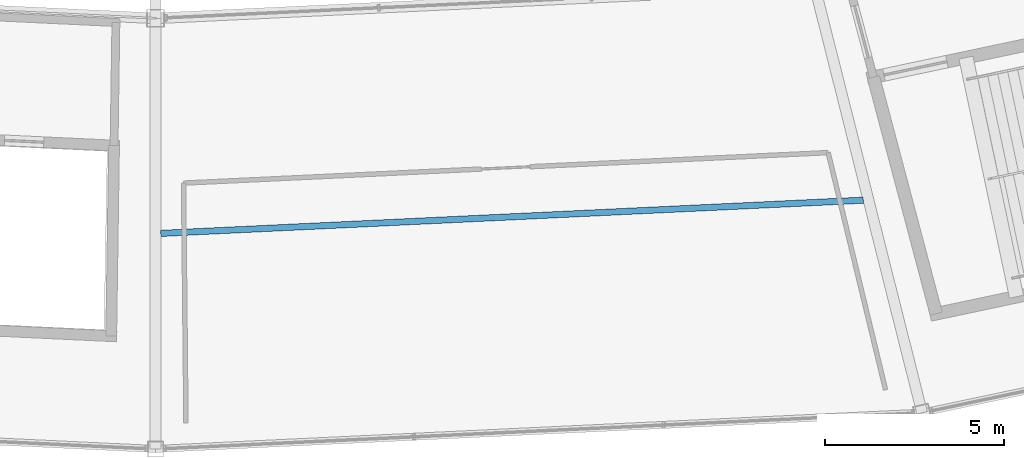
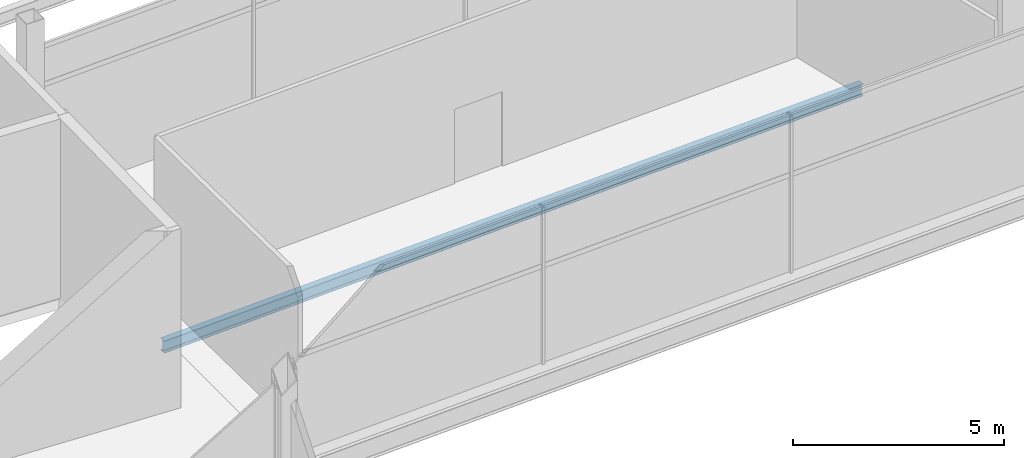
# One storey, part 36 of 186: 1 beam.
"""IFC4 building model written with IfcOpenShell, lengths in metres."""

from ifc_helpers import new_model, si_unit, direction, frame, origin, origin_2d, place, context, subcontext, project, spatial, i_section, extrude, material, material_profile, profile_set, type_object, element, save


model = new_model("IFC4")

# Units and contexts
model_context = context("Model", 3, precision=1e-05, world=origin(), true_north=direction((0.0, 1.0)))
body_context = subcontext(model_context, "Body", "Model", "MODEL_VIEW")
ifc_project = project(units=[si_unit("LENGTHUNIT", "METRE"), si_unit("AREAUNIT", "SQUARE_METRE"), si_unit("VOLUMEUNIT", "CUBIC_METRE"), si_unit("PLANEANGLEUNIT", "RADIAN"), si_unit("MASSUNIT", "GRAM", prefix="KILO")], contexts=[model_context])

# Site, building, storey
site_placement = place(None, origin())
site = spatial("IfcSite", under=ifc_project, at=site_placement, CompositionType="ELEMENT")
building_placement = place(site_placement, origin())
building = spatial("IfcBuilding", under=site, at=building_placement, Name="Kazemori Nagisa Stadium", CompositionType="ELEMENT")
storey_placement = place(building_placement, frame((0.0, 0.0, 20.39990234375)))
storey = spatial("IfcBuildingStorey", under=building, at=storey_placement, Name="L04", CompositionType="ELEMENT", Elevation=20.39990234375)

# Beam
ifc_material = material(Name="Steel SN490B", Category="steel")
ifc_material_profile = material_profile(ifc_material, i_section(OverallWidth=0.175048828125, OverallDepth=0.35009765625, WebThickness=0.007080078125, FlangeThickness=0.010986328125, FilletRadius=0.012939453125, at=origin_2d()), Name="H-350x175x7x11")
ifc_profile_set = profile_set([ifc_material_profile], Name="Steel SN490B")
beam_type = type_object("IfcBeamType", Name="Beam_BJ-H350", PredefinedType="JOIST", material=ifc_profile_set)
beam_placement = place(storey_placement, frame((123.144775390625, 22.02685546875, -0.474853515625), z_axis=(0.998884234836, 0.047225897525, 0.0), x_axis=(-0.047225897525, 0.998884234836, 0.0)))
element("IfcBeam", 1, at=beam_placement, inside=storey, type_object=beam_type, Name="Outer bay joist BJ-H350 L04 B22", PredefinedType="JOIST", context=body_context, shape_type="SweptSolid", body=[
    extrude(i_section(OverallWidth=0.175048828125, OverallDepth=0.35009765625, WebThickness=0.007080078125, FlangeThickness=0.010986328125, FilletRadius=0.012939453125, at=origin_2d()), origin(), (0.0, 0.0, 1.0), 19.66015625),
])

save(model, "model.ifc")
